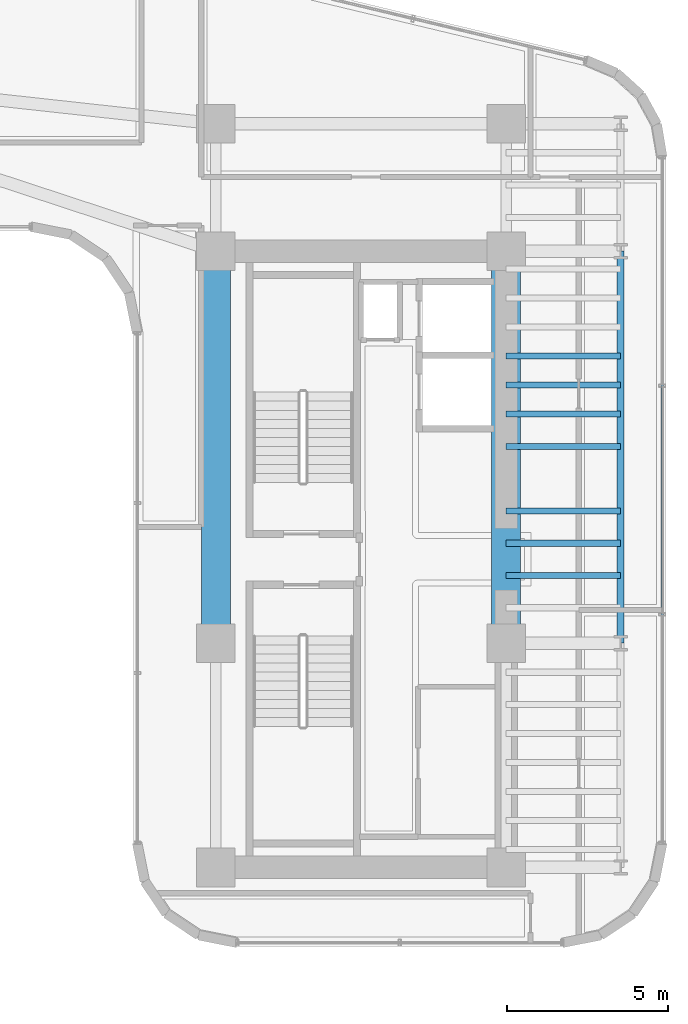
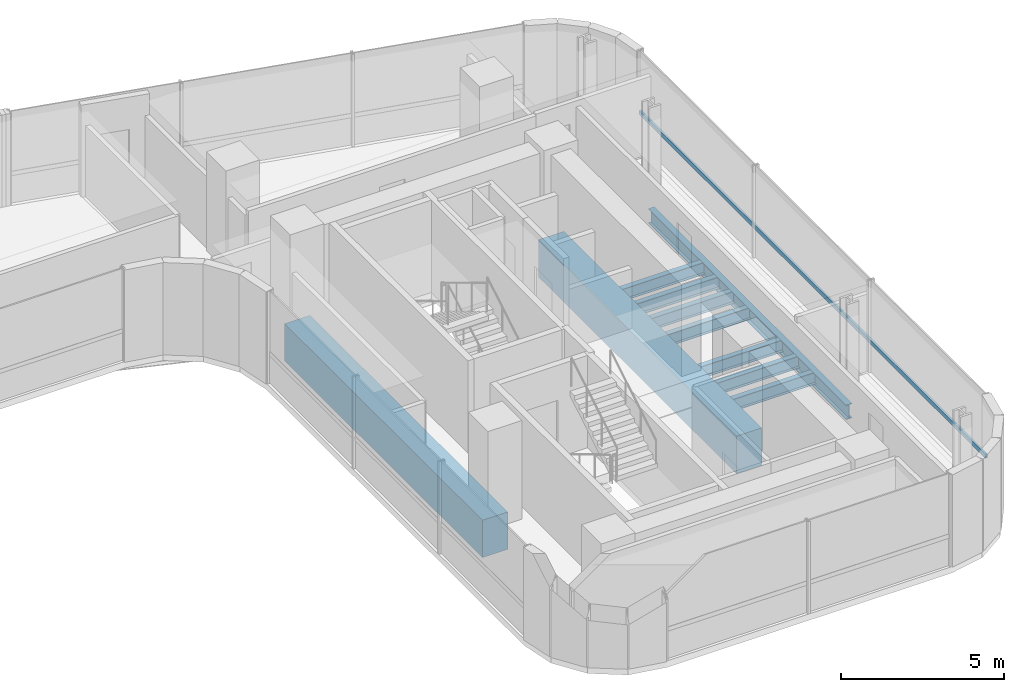
# One storey, part 16 of 34: 10 beams, 1 member, 1 element without a shape of its own.
"""IFC4 building model written with IfcOpenShell, lengths in metres."""

from ifc_helpers import new_model, si_unit, direction, frame, origin, origin_2d, place, context, subcontext, project, spatial, rectangle, hollow_rectangle, i_section, extrude, source, transform, mapped, material, material_profile, profile_set, type_object, element, aggregate, save


model = new_model("IFC4")

# Units and contexts
model_context = context("Model", 3, precision=1e-05, world=origin(), true_north=direction((0.0, 1.0)))
body_context = subcontext(model_context, "Body", "Model", "MODEL_VIEW")
ifc_project = project(units=[si_unit("LENGTHUNIT", "METRE"), si_unit("AREAUNIT", "SQUARE_METRE"), si_unit("VOLUMEUNIT", "CUBIC_METRE"), si_unit("PLANEANGLEUNIT", "RADIAN"), si_unit("MASSUNIT", "GRAM", prefix="KILO")], contexts=[model_context])

# Site, building, storey
site_placement = place(None, origin())
site = spatial("IfcSite", under=ifc_project, at=site_placement, CompositionType="ELEMENT")
building_placement = place(site_placement, origin())
building = spatial("IfcBuilding", under=site, at=building_placement, Name="Valdorenza Pilgrim Sanctuary Tower", CompositionType="ELEMENT")
storey_placement = place(building_placement, frame((0.0, 0.0, 142.699951171875)))
storey = spatial("IfcBuildingStorey", under=building, at=storey_placement, Name="L36", CompositionType="ELEMENT", Elevation=142.699951171875)

# Beams
ifc_material_1 = material(Name="Concrete C60/75", Category="concrete")
ifc_material_profile_1 = material_profile(ifc_material_1, rectangle(XDim=0.89990234375, YDim=1.39990234375, at=origin_2d()), Name="RC 1400x900")
ifc_profile_set_1 = profile_set([ifc_material_profile_1], Name="Concrete C60/75")
beam_type_1 = type_object("IfcBeamType", Name="STR-BM-LNT-1400", PredefinedType="LINTEL", material=ifc_profile_set_1)
shared_shape_1 = source(origin(), body_context, "Body", "SweptSolid", [
    extrude(rectangle(XDim=0.89990234375, YDim=1.39990234375, at=origin_2d()), origin(), (0.0, 0.0, 1.0), 12.150146484375),
])
for number, where, z_axis, x_axis, name in (
    (1, (15.85009765625, -2.60009765625, -0.739990234375), (0.0, 1.0, 0.0), (-1.0, 0.0, 0.0), "L36 Core B West Coupling Lintel Girder"),
    (2, (24.85009765625, -2.60009765625, -0.739990234375), (0.0, 1.0, 0.0), (-1.0, 0.0, 0.0), "L36 Core B East Coupling Lintel Girder"),
):
    element("IfcBeam", number, at=place(storey_placement, frame(where, z_axis=z_axis, x_axis=x_axis)), inside=storey, type_object=beam_type_1, Name=name, PredefinedType="LINTEL", context=body_context, shape_type="MappedRepresentation", body=[
        mapped(shared_shape_1, transform((0.0, 0.0, 0.0), x_axis=(1.0, 0.0, 0.0), y_axis=(0.0, 1.0, 0.0), z_axis=(0.0, 0.0, 1.0), scale=1.0)),
    ])
ifc_material_2 = material(Name="Steel ASTM A992 Grade 50", Category="steel")
ifc_material_profile_2 = material_profile(ifc_material_2, i_section(OverallWidth=0.214111328125, OverallDepth=0.549072265625, WebThickness=0.0146484375, FlangeThickness=0.023681640625, at=origin_2d()), Name="W21X93")
ifc_profile_set_2 = profile_set([ifc_material_profile_2], Name="Steel ASTM A992 Grade 50")
beam_type_2 = type_object("IfcBeamType", Name="STR-BM-SPN-W21A", PredefinedType="SPANDREL", material=ifc_profile_set_2)
shared_shape_2 = source(origin(), body_context, "Body", "SweptSolid", [
    extrude(i_section(OverallWidth=0.214111328125, OverallDepth=0.549072265625, WebThickness=0.0146484375, FlangeThickness=0.023681640625, at=origin_2d()), origin(), (0.0, 0.0, 1.0), 12.150146484375),
])
beam_placement = place(storey_placement, frame((28.39990234375, -2.60009765625, -0.514404296875), z_axis=(0.0, 1.0, 0.0), x_axis=(-1.0, 0.0, 0.0)))
element("IfcBeam", 3, at=beam_placement, inside=storey, type_object=beam_type_2, Name="L36 Spandrel Beam WB-E-M0N1", PredefinedType="SPANDREL", context=body_context, shape_type="MappedRepresentation", body=[
    mapped(shared_shape_2, transform((0.0, 0.0, 0.0), x_axis=(1.0, 0.0, 0.0), y_axis=(0.0, 1.0, 0.0), z_axis=(0.0, 0.0, 1.0), scale=1.0)),
])
ifc_material_profile_3 = material_profile(ifc_material_2, i_section(OverallWidth=0.19091796875, OverallDepth=0.45703125, WebThickness=0.009033203125, FlangeThickness=0.014404296875, at=origin_2d()), Name="W18X50")
ifc_profile_set_3 = profile_set([ifc_material_profile_3], Name="Steel ASTM A992 Grade 50")
beam_type_3 = type_object("IfcBeamType", Name="STR-BM-JST-W18B", PredefinedType="JOIST", material=ifc_profile_set_3)
shared_shape_3 = source(origin(), body_context, "Body", "SweptSolid", [
    extrude(i_section(OverallWidth=0.19091796875, OverallDepth=0.45703125, WebThickness=0.009033203125, FlangeThickness=0.014404296875, at=origin_2d()), origin(), (0.0, 0.0, 1.0), 3.5498046875),
])
for number, where, z_axis, x_axis, name in (
    (4, (24.85009765625, -0.5, -0.468505859375), (1.0, 0.0, 0.0), (0.0, 1.0, 0.0), "L36 Composite Floor Joist JST-WB-9"),
    (5, (24.85009765625, 0.5, -0.468505859375), (1.0, 0.0, 0.0), (0.0, 1.0, 0.0), "L36 Composite Floor Joist JST-WB-10"),
    (6, (24.85009765625, 1.5, -0.468505859375), (1.0, 0.0, 0.0), (0.0, 1.0, 0.0), "L36 Composite Floor Joist JST-WB-11"),
    (7, (24.85009765625, 3.5, -0.468505859375), (1.0, 0.0, 0.0), (0.0, 1.0, 0.0), "L36 Composite Floor Joist JST-WB-12"),
    (8, (24.85009765625, 4.5, -0.468505859375), (1.0, 0.0, 0.0), (0.0, 1.0, 0.0), "L36 Composite Floor Joist JST-WB-13"),
    (9, (24.85009765625, 5.39990234375, -0.468505859375), (1.0, 0.0, 0.0), (0.0, 1.0, 0.0), "L36 Composite Floor Joist JST-WB-14"),
    (10, (24.85009765625, 6.300048828125, -0.468505859375), (1.0, 0.0, 0.0), (0.0, 1.0, 0.0), "L36 Composite Floor Joist JST-WB-15"),
):
    element("IfcBeam", number, at=place(storey_placement, frame(where, z_axis=z_axis, x_axis=x_axis)), inside=storey, type_object=beam_type_3, Name=name, PredefinedType="JOIST", context=body_context, shape_type="MappedRepresentation", body=[
        mapped(shared_shape_3, transform((0.0, 0.0, 0.0), x_axis=(1.0, 0.0, 0.0), y_axis=(0.0, 1.0, 0.0), z_axis=(0.0, 0.0, 1.0), scale=1.0)),
    ])

# Curtain wall, member
ifc_material_3 = material(Name="Curtain-wall IGU glazing", Category="glass")
curtain_wall_type = type_object("IfcCurtainWallType", Name="CW-SYS-03", PredefinedType="NOTDEFINED", material=ifc_material_3)
curtain_wall_placement = place(storey_placement, origin())
curtain_wall = element("IfcCurtainWall", 11, at=curtain_wall_placement, inside=storey, type_object=curtain_wall_type, Name="L36 Curtain Wall CW-L36-1-21", PredefinedType="NOTDEFINED")
ifc_material_4 = material(Name="Anodised aluminium AW-6060", Category="aluminium")
ifc_material_profile_4 = material_profile(ifc_material_4, hollow_rectangle(XDim=0.074951171875, YDim=0.159912109375, WallThickness=0.00390625, at=origin_2d()), Name="ALU-T 160x75x4")
ifc_profile_set_4 = profile_set([ifc_material_profile_4], Name="Anodised aluminium AW-6060")
member_type = type_object("IfcMemberType", Name="CW-TRN-03", PredefinedType="USERDEFINED", material=ifc_profile_set_4)
shared_shape_4 = source(origin(), body_context, "Body", "SweptSolid", [
    extrude(hollow_rectangle(XDim=0.074951171875, YDim=0.159912109375, WallThickness=0.00390625, at=origin_2d()), origin(), (0.0, 0.0, 1.0), 21.255615234375),
])
member_placement = place(storey_placement, frame((29.68994140625, 12.46630859375, 1.1201171875), z_axis=(0.0, -1.0, 0.0), x_axis=(1.0, 0.0, 0.0)))
member = element("IfcMember", 12, at=member_placement, type_object=member_type, Name="CW-L36-1-21 Transom 1", ObjectType="TRANSOM", PredefinedType="USERDEFINED", context=body_context, shape_type="MappedRepresentation", body=[
    mapped(shared_shape_4, transform((0.0, 0.0, 0.0), x_axis=(1.0, 0.0, 0.0), y_axis=(0.0, 1.0, 0.0), z_axis=(0.0, 0.0, 1.0), scale=1.0)),
])
aggregate(curtain_wall, [member])

save(model, "model.ifc")
